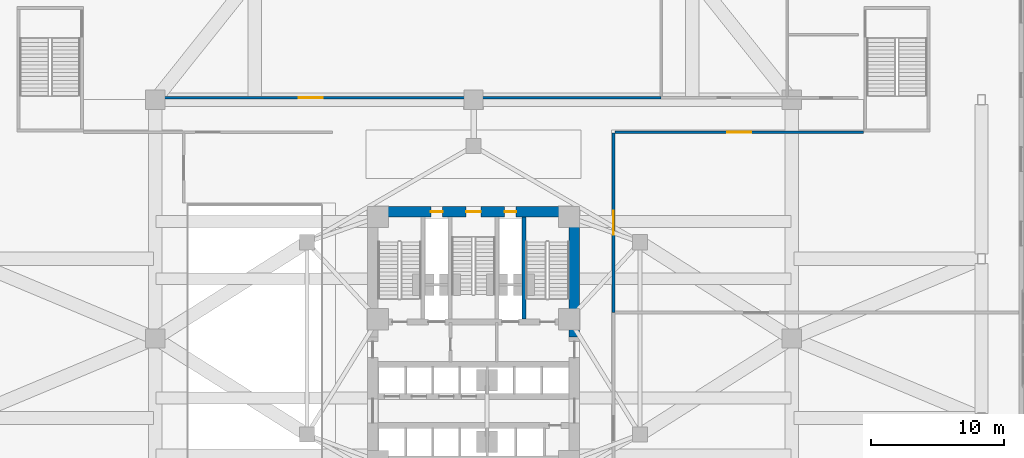
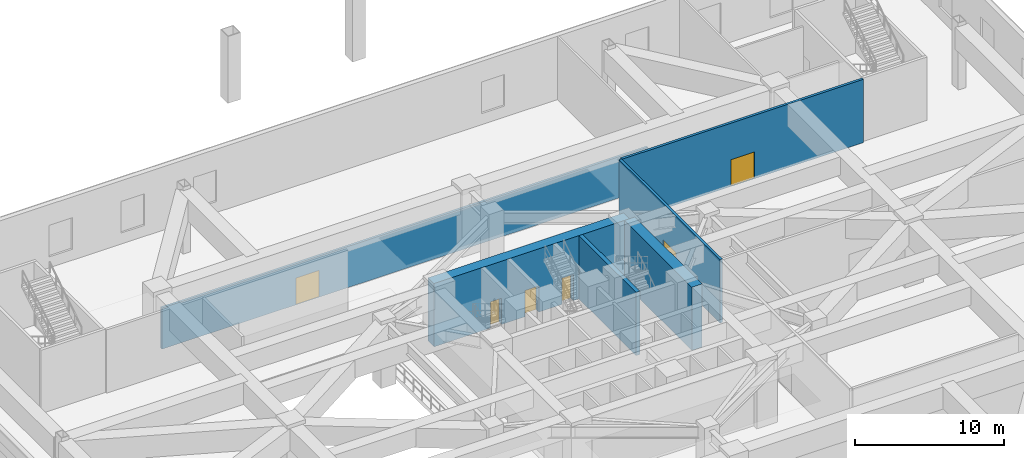
# One storey, part 12 of 23: 6 doors, 6 walls, 6 openings.
"""IFC4 building model written with IfcOpenShell, lengths in metres."""

import ifcopenshell
import ifcopenshell.guid

model = None  # the IFC model being written
_history = None  # IfcOwnerHistory: only IFC2X3 demands one
_inside = {}  # id of a spatial element -> (the spatial element, [elements in it])
_under = {}  # id of a project, library or spatial element -> (it, [spatial elements below it])
_declared = {}  # id of a project -> (the project, [libraries it declares])
_typed = {}  # id of a type object -> (the type object, [elements of that type])
_made_of = {}  # id of a material, layer set ... -> (it, [elements and type objects made of it])


def new_model(schema):
    """Start an empty IFC model of exactly this schema.

    Asked for "IFC4X3", IfcOpenShell would pick the latest addendum, in which some entities
    have other attributes; the version numbers below select the first issue.
    IFC2X3 requires an IfcOwnerHistory on every rooted entity: one is made here for all.
    """
    global model, _history
    if schema == "IFC4X3":
        model = ifcopenshell.file(schema_version=(4, 3, 0, 0))
    else:
        model = ifcopenshell.file(schema=schema)
    _inside.clear()
    _under.clear()
    _declared.clear()
    _typed.clear()
    _made_of.clear()
    _history = None
    if model.schema == "IFC2X3":
        org = make("IfcOrganization", Name="unknown")
        user = make(
            "IfcPersonAndOrganization",
            ThePerson=make("IfcPerson", FamilyName="unknown"),
            TheOrganization=org,
        )
        app = make(
            "IfcApplication",
            ApplicationDeveloper=org,
            Version="unknown",
            ApplicationFullName="unknown",
            ApplicationIdentifier="unknown",
        )
        _history = make(
            "IfcOwnerHistory",
            OwningUser=user,
            OwningApplication=app,
            ChangeAction="ADDED",
            CreationDate=0,
        )
    return model


def make(cls, **values):
    """One entity of the class cls with the attributes given. An attribute that is None is left unset."""
    return model.create_entity(
        cls, **{name: value for name, value in values.items() if value is not None}
    )


def rooted(cls, **values):
    """An entity with a GlobalId (a new one), such as an element, a storey or a relation."""
    return make(cls, GlobalId=ifcopenshell.guid.new(), OwnerHistory=_history, **values)


def si_unit(unit_type, name, prefix=None):
    """IfcSIUnit, for example si_unit("LENGTHUNIT", "METRE", prefix="MILLI")."""
    return make("IfcSIUnit", UnitType=unit_type, Prefix=prefix, Name=name)


def assignment(units):
    """IfcUnitAssignment: the units of a project."""
    return None if units is None else make("IfcUnitAssignment", Units=units)


def point(xyz):
    """IfcCartesianPoint."""
    return None if xyz is None else make("IfcCartesianPoint", Coordinates=xyz)


def direction(xyz):
    """IfcDirection."""
    return None if xyz is None else make("IfcDirection", DirectionRatios=xyz)


def frame(location, z_axis=None, x_axis=None):
    """IfcAxis2Placement3D, a coordinate frame: its origin and axes. An axis left out is left unset."""
    return make(
        "IfcAxis2Placement3D",
        Location=point(location),
        Axis=direction(z_axis),
        RefDirection=direction(x_axis),
    )


def frame_2d(location, x_axis=None):
    """IfcAxis2Placement2D, a coordinate frame in the plane: its origin and x axis."""
    return make(
        "IfcAxis2Placement2D", Location=point(location), RefDirection=direction(x_axis)
    )


def origin():
    """The frame at (0, 0, 0) with its axes left unset."""
    return frame((0.0, 0.0, 0.0))


def place(relative_to, where):
    """IfcLocalPlacement: puts the frame where relative to a parent placement (None: the world)."""
    return make(
        "IfcLocalPlacement", PlacementRelTo=relative_to, RelativePlacement=where
    )


def context(
    kind, dimensions, precision=None, world=None, true_north=None, identifier=None
):
    """IfcGeometricRepresentationContext, for example the 3D "Model" context."""
    return make(
        "IfcGeometricRepresentationContext",
        ContextIdentifier=identifier,
        ContextType=kind,
        CoordinateSpaceDimension=dimensions,
        Precision=precision,
        WorldCoordinateSystem=world,
        TrueNorth=true_north,
    )


def subcontext(parent, identifier, kind, view, scale=None):
    """IfcGeometricRepresentationSubContext, for example "Body" below "Model"."""
    return make(
        "IfcGeometricRepresentationSubContext",
        ContextIdentifier=identifier,
        ContextType=kind,
        ParentContext=parent,
        TargetScale=scale,
        TargetView=view,
    )


def project(units=None, contexts=None):
    """IfcProject with its units and contexts."""
    return rooted(
        "IfcProject",
        Name="project",
        RepresentationContexts=contexts,
        UnitsInContext=assignment(units),
    )


def spatial(cls, under=None, at=None, **own):
    """A site, building, storey or space (cls), placed at a placement, below another one or the project."""
    s = rooted(cls, ObjectPlacement=at, **own)
    if under is not None:
        _under.setdefault(under.id(), (under, []))[1].append(s)
    return s


def profile(cls, at=None, kind="AREA", **sizes):
    """A parametric profile (cls). Its sizes go by their IFC names, for example OverallWidth=200.0."""
    return make(cls, ProfileType=kind, Position=at, **sizes)


def rectangle(**sizes):
    """IfcRectangleProfileDef."""
    return profile("IfcRectangleProfileDef", **sizes)


def extrude(swept, where, along, depth):
    """IfcExtrudedAreaSolid: the profile swept, set in the frame where, extruded along a direction by depth."""
    return make(
        "IfcExtrudedAreaSolid",
        SweptArea=swept,
        Position=where,
        ExtrudedDirection=direction(along),
        Depth=depth,
    )


def shape(context_of_items, identifier, shape_type, items):
    """IfcShapeRepresentation: the items that make up one representation, for example the "Body"."""
    return make(
        "IfcShapeRepresentation",
        ContextOfItems=context_of_items,
        RepresentationIdentifier=identifier,
        RepresentationType=shape_type,
        Items=items,
    )


def material(Name=None, Category=None):
    """IfcMaterial."""
    return make("IfcMaterial", Name=Name, Category=Category)


def layer(
    of_material, thickness, ventilated=None, Name=None, Category=None, Priority=None
):
    """IfcMaterialLayer: one layer of a wall or slab, of a material (None: an air gap)."""
    return make(
        "IfcMaterialLayer",
        Material=of_material,
        LayerThickness=thickness,
        IsVentilated=ventilated,
        Name=Name,
        Category=Category,
        Priority=Priority,
    )


def layer_set(layers, Name=None):
    """IfcMaterialLayerSet."""
    return make("IfcMaterialLayerSet", MaterialLayers=layers, LayerSetName=Name)


def made_of(thing, what):
    """Note that an element or type object is made of a material, layer set ...; save() writes the relation."""
    if what is not None:
        _made_of.setdefault(what.id(), (what, []))[1].append(thing)
    return thing


def type_object(cls, material=None, **own):
    """A type object (cls), such as IfcWallType, which elements share."""
    return made_of(rooted(cls, **own), material)


def element(
    cls,
    number,
    at=None,
    inside=None,
    cuts=None,
    type_object=None,
    material=None,
    context=None,
    identifier="Body",
    shape_type=None,
    held_by="IfcProductDefinitionShape",
    body=None,
    shapes=None,
    **own,
):
    """One element of the class cls, such as IfcWall. Its Tag is "e" and its number.

    at: its placement. inside: the storey or other place that contains it. cuts: it is an
    opening in that element (IfcRelVoidsElement). A single representation is given by context,
    identifier, shape_type and body (its items); several are given by shapes. held_by: the class
    of the entity that holds the representations. save() writes the other relations.
    """
    e = rooted(cls, Tag="e%d" % number, ObjectPlacement=at, **own)
    if body is not None:
        shapes = [shape(context, identifier, shape_type, body)]
    if shapes is not None:
        e.Representation = make(held_by, Representations=shapes)
    if inside is not None:
        _inside.setdefault(inside.id(), (inside, []))[1].append(e)
    if cuts is not None:
        rooted(
            "IfcRelVoidsElement", RelatingBuildingElement=cuts, RelatedOpeningElement=e
        )
    if type_object is not None:
        _typed.setdefault(type_object.id(), (type_object, []))[1].append(e)
    return made_of(e, material)


def fill(opening, filler):
    """IfcRelFillsElement: the door or window that sits in an opening."""
    return rooted(
        "IfcRelFillsElement",
        RelatingOpeningElement=opening,
        RelatedBuildingElement=filler,
    )


def aggregate(whole, parts):
    """IfcRelAggregates: a whole, such as a stair, and the parts it consists of."""
    return rooted("IfcRelAggregates", RelatingObject=whole, RelatedObjects=parts)


def save(model, path):
    """Write the relations noted so far, then the file.

    IfcRelAggregates (storeys below a building ...), IfcRelContainedInSpatialStructure (elements
    in a storey), IfcRelDefinesByType, IfcRelAssociatesMaterial and IfcRelDeclares: one each for
    every whole, place, type object, material and project.
    """
    for whole, parts in _under.values():
        aggregate(whole, parts)
    for where, things in _inside.values():
        rooted(
            "IfcRelContainedInSpatialStructure",
            RelatedElements=things,
            RelatingStructure=where,
        )
    for kind, things in _typed.values():
        rooted("IfcRelDefinesByType", RelatedObjects=things, RelatingType=kind)
    for what, things in _made_of.values():
        rooted("IfcRelAssociatesMaterial", RelatedObjects=things, RelatingMaterial=what)
    for by, libraries in _declared.values():
        rooted("IfcRelDeclares", RelatingContext=by, RelatedDefinitions=libraries)
    model.write(path)


model = new_model("IFC4")

# Units and contexts
model_context = context("Model", 3, precision=1e-05, world=origin(), true_north=direction((0.0, 1.0)))
body_context = subcontext(model_context, "Body", "Model", "MODEL_VIEW")
ifc_project = project(units=[si_unit("LENGTHUNIT", "METRE"), si_unit("AREAUNIT", "SQUARE_METRE"), si_unit("VOLUMEUNIT", "CUBIC_METRE"), si_unit("PLANEANGLEUNIT", "RADIAN"), si_unit("MASSUNIT", "GRAM", prefix="KILO")], contexts=[model_context])

# Site, building, storey
site_placement = place(None, origin())
site = spatial("IfcSite", under=ifc_project, at=site_placement, CompositionType="ELEMENT")
building_placement = place(site_placement, origin())
building = spatial("IfcBuilding", under=site, at=building_placement, Name="Apsidion Concourse Tower", CompositionType="ELEMENT")
storey_placement = place(building_placement, frame((0.0, 0.0, 6.0)))
storey = spatial("IfcBuildingStorey", under=building, at=storey_placement, Name="L01", CompositionType="ELEMENT", Elevation=6.0)

# Wall, opening, door
ifc_material_1 = material(Name="Gypsum plasterboard partition")
ifc_layer_1 = layer(ifc_material_1, 0.179931640625)
ifc_layer_set_1 = layer_set([ifc_layer_1], Name="Gypsum plasterboard partition")
wall_type_1 = type_object("IfcWallType", Name="WL-INT-PAR-180", PredefinedType="PARTITIONING", material=ifc_layer_set_1)
wall_1_placement = place(storey_placement, frame((-23.60009765625, 18.14990234375, 0.0), z_axis=(0.0, 0.0, 1.0), x_axis=(1.0, 0.0, 0.0)))
wall_1 = element("IfcWall", 1, at=wall_1_placement, inside=storey, type_object=wall_type_1, Name="L01 Interior Partition WL-L01-NW", PredefinedType="PARTITIONING", context=body_context, shape_type="SweptSolid", body=[
    extrude(rectangle(XDim=37.75, YDim=0.179931640625, at=frame_2d((18.875, 0.0))), origin(), (0.0, 0.0, 1.0), 3.3798828125),
])
opening_1_placement = place(wall_1_placement, frame((10.425048828125, 0.0, 0.0)))
opening_1 = element("IfcOpeningElement", 2, at=opening_1_placement, cuts=wall_1, Name="Opening D-06D", PredefinedType="OPENING", context=body_context, shape_type="SweptSolid", body=[
    extrude(rectangle(XDim=1.800048828125, YDim=2.199951171875, at=frame_2d((0.89990234375, 1.10009765625))), frame((0.0, 0.10009765625, 0.0), z_axis=(0.0, -1.0, 0.0), x_axis=(1.0, 0.0, 0.0)), (0.0, 0.0, 1.0), 0.199951171875),
])
ifc_material_2 = material(Name="Brushed stainless steel 316", Category="steel")
door_type_1 = type_object("IfcDoorType", Name="DR-INT-D06D", OperationType="DOUBLE_DOOR_SINGLE_SWING", PredefinedType="DOOR", material=ifc_material_2)
door_1_placement = place(opening_1_placement, origin())
door_1 = element("IfcDoor", 3, at=door_1_placement, inside=storey, type_object=door_type_1, Name="L01 Convention Door WL-L01-NW", OperationType="DOUBLE_DOOR_SINGLE_SWING", OverallHeight=2.199951171875, OverallWidth=1.800048828125, PredefinedType="DOOR", context=body_context, shape_type="SweptSolid", body=[
    extrude(rectangle(XDim=1.800048828125, YDim=2.199951171875, at=frame_2d((0.89990234375, 1.10009765625))), frame((0.0, 0.02490234375, 0.0), z_axis=(0.0, -1.0, 0.0), x_axis=(1.0, 0.0, 0.0)), (0.0, 0.0, 1.0), 0.050048828125),
])
fill(opening_1, door_1)

ifc_layer_2 = layer(ifc_material_1, 0.199951171875)
ifc_layer_set_2 = layer_set([ifc_layer_2], Name="Gypsum plasterboard partition")
wall_type_2 = type_object("IfcWallType", Name="WL-INT-PAR-200", PredefinedType="PARTITIONING", material=ifc_layer_set_2)
wall_2_placement = place(storey_placement, frame((10.550048828125, 1.949951171875, 0.0), z_axis=(0.0, 0.0, 1.0), x_axis=(0.0, 1.0, 0.0)))
wall_2 = element("IfcWall", 4, at=wall_2_placement, inside=storey, type_object=wall_type_2, Name="L01 Interior Partition WL-L01-E2", PredefinedType="PARTITIONING", context=body_context, shape_type="SweptSolid", body=[
    extrude(rectangle(XDim=13.550048828125, YDim=0.199951171875, at=frame_2d((6.77490234375, 0.0))), origin(), (0.0, 0.0, 1.0), 5.199951171875),
])
opening_2_placement = place(wall_2_placement, frame((5.875, 0.0, 0.0)))
opening_2 = element("IfcOpeningElement", 5, at=opening_2_placement, cuts=wall_2, Name="Opening D-06D", PredefinedType="OPENING", context=body_context, shape_type="SweptSolid", body=[
    extrude(rectangle(XDim=1.800048828125, YDim=2.199951171875, at=frame_2d((0.89990234375, 1.10009765625))), frame((0.0, 0.10986328125, 0.0), z_axis=(0.0, -1.0, 0.0), x_axis=(1.0, 0.0, 0.0)), (0.0, 0.0, 1.0), 0.219970703125),
])
door_2_placement = place(opening_2_placement, origin())
door_2 = element("IfcDoor", 6, at=door_2_placement, inside=storey, type_object=door_type_1, Name="L01 Convention Door WL-L01-E2", OperationType="DOUBLE_DOOR_SINGLE_SWING", OverallHeight=2.199951171875, OverallWidth=1.800048828125, PredefinedType="DOOR", context=body_context, shape_type="SweptSolid", body=[
    extrude(rectangle(XDim=1.800048828125, YDim=2.199951171875, at=frame_2d((0.89990234375, 1.10009765625))), frame((0.0, 0.02490234375, 0.0), z_axis=(0.0, -1.0, 0.0), x_axis=(1.0, 0.0, 0.0)), (0.0, 0.0, 1.0), 0.050048828125),
])
fill(opening_2, door_2)

wall_3_placement = place(storey_placement, frame((10.64990234375, 15.550048828125, 0.0), z_axis=(0.0, 0.0, 1.0), x_axis=(1.0, 0.0, 0.0)))
wall_3 = element("IfcWall", 7, at=wall_3_placement, inside=storey, type_object=wall_type_2, Name="L01 Interior Partition WL-L01-N2", PredefinedType="PARTITIONING", context=body_context, shape_type="SweptSolid", body=[
    extrude(rectangle(XDim=18.75, YDim=0.199951171875, at=frame_2d((9.375, 0.0))), origin(), (0.0, 0.0, 1.0), 5.199951171875),
])
opening_3_placement = place(wall_3_placement, frame((8.47509765625, 0.0, 0.0)))
opening_3 = element("IfcOpeningElement", 8, at=opening_3_placement, cuts=wall_3, Name="Opening D-06D", PredefinedType="OPENING", context=body_context, shape_type="SweptSolid", body=[
    extrude(rectangle(XDim=1.800048828125, YDim=2.199951171875, at=frame_2d((0.89990234375, 1.10009765625))), frame((0.0, 0.10986328125, 0.0), z_axis=(0.0, -1.0, 0.0), x_axis=(1.0, 0.0, 0.0)), (0.0, 0.0, 1.0), 0.219970703125),
])
door_3_placement = place(opening_3_placement, origin())
door_3 = element("IfcDoor", 9, at=door_3_placement, inside=storey, type_object=door_type_1, Name="L01 Convention Door WL-L01-N2", OperationType="DOUBLE_DOOR_SINGLE_SWING", OverallHeight=2.199951171875, OverallWidth=1.800048828125, PredefinedType="DOOR", context=body_context, shape_type="SweptSolid", body=[
    extrude(rectangle(XDim=1.800048828125, YDim=2.199951171875, at=frame_2d((0.89990234375, 1.10009765625))), frame((0.0, 0.02490234375, 0.0), z_axis=(0.0, -1.0, 0.0), x_axis=(1.0, 0.0, 0.0)), (0.0, 0.0, 1.0), 0.050048828125),
])
fill(opening_3, door_3)

# Wall
ifc_material_3 = material(Name="Concrete C50/60", Category="concrete")
ifc_layer_3 = layer(ifc_material_3, 0.300048828125)
ifc_layer_set_3 = layer_set([ifc_layer_3], Name="Concrete C50/60")
wall_type_3 = type_object("IfcWallType", Name="WL-SH-300", PredefinedType="SHEAR", material=ifc_layer_set_3)
wall_4_placement = place(storey_placement, frame((3.800048828125, 1.449951171875, 0.0), z_axis=(0.0, 0.0, 1.0), x_axis=(0.0, 1.0, 0.0)))
element("IfcWall", 10, at=wall_4_placement, inside=storey, type_object=wall_type_3, Name="L01 Central Core Shear Wall V4", PredefinedType="SHEAR", context=body_context, shape_type="SweptSolid", body=[
    extrude(rectangle(XDim=7.699951171875, YDim=0.300048828125, at=frame_2d((3.85009765625, 0.0))), origin(), (0.0, 0.0, 1.0), 5.199951171875),
])

# Wall, openings, doors
ifc_material_4 = material(Name="Concrete C60/75", Category="concrete")
ifc_layer_4 = layer(ifc_material_4, 0.800048828125)
ifc_layer_set_4 = layer_set([ifc_layer_4], Name="Concrete C60/75")
wall_type_4 = type_object("IfcWallType", Name="WL-SH-800", PredefinedType="SHEAR", material=ifc_layer_set_4)
wall_5_placement = place(storey_placement, frame((-7.60009765625, 9.550048828125, 0.0), z_axis=(0.0, 0.0, 1.0), x_axis=(1.0, 0.0, 0.0)))
wall_5 = element("IfcWall", 11, at=wall_5_placement, inside=storey, type_object=wall_type_4, Name="L01 Central Core Shear Wall N", PredefinedType="SHEAR", context=body_context, shape_type="SweptSolid", body=[
    extrude(rectangle(XDim=15.2001953125, YDim=0.800048828125, at=frame_2d((7.60009765625, 0.0))), origin(), (0.0, 0.0, 1.0), 5.199951171875),
])
opening_4_placement = place(wall_5_placement, frame((7.050048828125, 0.0, 0.0)))
opening_4 = element("IfcOpeningElement", 12, at=opening_4_placement, cuts=wall_5, Name="Opening D-STL", PredefinedType="OPENING", context=body_context, shape_type="SweptSolid", body=[
    extrude(rectangle(XDim=1.10009765625, YDim=2.14990234375, at=frame_2d((0.550048828125, 1.074951171875))), frame((0.0, 0.41015625, 0.0), z_axis=(0.0, -1.0, 0.0), x_axis=(1.0, 0.0, 0.0)), (0.0, 0.0, 1.0), 0.820068359375),
])
opening_5_placement = place(wall_5_placement, frame((4.3798828125, 0.0, 0.0)))
opening_5 = element("IfcOpeningElement", 13, at=opening_5_placement, cuts=wall_5, Name="Opening D-05L", PredefinedType="OPENING", context=body_context, shape_type="SweptSolid", body=[
    extrude(rectangle(XDim=0.8798828125, YDim=2.14990234375, at=frame_2d((0.43994140625, 1.074951171875))), frame((0.0, 0.41015625, 0.0), z_axis=(0.0, -1.0, 0.0), x_axis=(1.0, 0.0, 0.0)), (0.0, 0.0, 1.0), 0.820068359375),
])
opening_6_placement = place(wall_5_placement, frame((9.93994140625, 0.0, 0.0)))
opening_6 = element("IfcOpeningElement", 14, at=opening_6_placement, cuts=wall_5, Name="Opening D-05R", PredefinedType="OPENING", context=body_context, shape_type="SweptSolid", body=[
    extrude(rectangle(XDim=0.8798828125, YDim=2.14990234375, at=frame_2d((0.43994140625, 1.074951171875))), frame((0.0, 0.41015625, 0.0), z_axis=(0.0, -1.0, 0.0), x_axis=(1.0, 0.0, 0.0)), (0.0, 0.0, 1.0), 0.820068359375),
])
door_type_2 = type_object("IfcDoorType", Name="DR-INT-D05L", OperationType="SINGLE_SWING_LEFT", PredefinedType="DOOR", material=ifc_material_2)
door_4_placement = place(opening_5_placement, origin())
door_4 = element("IfcDoor", 15, at=door_4_placement, inside=storey, type_object=door_type_2, Name="L01 Electrical Riser Shaft Access Door", OperationType="SINGLE_SWING_LEFT", OverallHeight=2.14990234375, OverallWidth=0.8798828125, PredefinedType="DOOR", context=body_context, shape_type="SweptSolid", body=[
    extrude(rectangle(XDim=0.8798828125, YDim=2.14990234375, at=frame_2d((0.43994140625, 1.074951171875))), frame((0.0, 0.02490234375, 0.0), z_axis=(0.0, -1.0, 0.0), x_axis=(1.0, 0.0, 0.0)), (0.0, 0.0, 1.0), 0.050048828125),
])
fill(opening_5, door_4)
door_type_3 = type_object("IfcDoorType", Name="DR-INT-D05R", OperationType="SINGLE_SWING_RIGHT", PredefinedType="DOOR", material=ifc_material_2)
door_5_placement = place(opening_6_placement, origin())
door_5 = element("IfcDoor", 16, at=door_5_placement, inside=storey, type_object=door_type_3, Name="L01 Mechanical Riser Shaft Access Door", OperationType="SINGLE_SWING_RIGHT", OverallHeight=2.14990234375, OverallWidth=0.8798828125, PredefinedType="DOOR", context=body_context, shape_type="SweptSolid", body=[
    extrude(rectangle(XDim=0.8798828125, YDim=2.14990234375, at=frame_2d((0.43994140625, 1.074951171875))), frame((0.0, 0.02490234375, 0.0), z_axis=(0.0, -1.0, 0.0), x_axis=(1.0, 0.0, 0.0)), (0.0, 0.0, 1.0), 0.050048828125),
])
fill(opening_6, door_5)
door_type_4 = type_object("IfcDoorType", Name="DR-INT-ST1L", OperationType="SINGLE_SWING_LEFT", PredefinedType="DOOR", material=ifc_material_2)
door_6_placement = place(opening_4_placement, origin())
door_6 = element("IfcDoor", 17, at=door_6_placement, inside=storey, type_object=door_type_4, Name="L01 Core Exit Stair ST3 Door", OperationType="SINGLE_SWING_LEFT", OverallHeight=2.14990234375, OverallWidth=1.10009765625, PredefinedType="DOOR", context=body_context, shape_type="SweptSolid", body=[
    extrude(rectangle(XDim=1.10009765625, YDim=2.14990234375, at=frame_2d((0.550048828125, 1.074951171875))), frame((0.0, 0.02490234375, 0.0), z_axis=(0.0, -1.0, 0.0), x_axis=(1.0, 0.0, 0.0)), (0.0, 0.0, 1.0), 0.050048828125),
])
fill(opening_4, door_6)

# Wall
wall_6_placement = place(storey_placement, frame((7.60009765625, 0.10009765625, 0.0), z_axis=(0.0, 0.0, 1.0), x_axis=(0.0, 1.0, 0.0)))
element("IfcWall", 18, at=wall_6_placement, inside=storey, type_object=wall_type_4, Name="L01 Central Core Shear Wall EN", PredefinedType="SHEAR", context=body_context, shape_type="SweptSolid", body=[
    extrude(rectangle(XDim=9.0498046875, YDim=0.800048828125, at=frame_2d((4.52490234375, 0.0))), origin(), (0.0, 0.0, 1.0), 5.199951171875),
])

save(model, "model.ifc")
